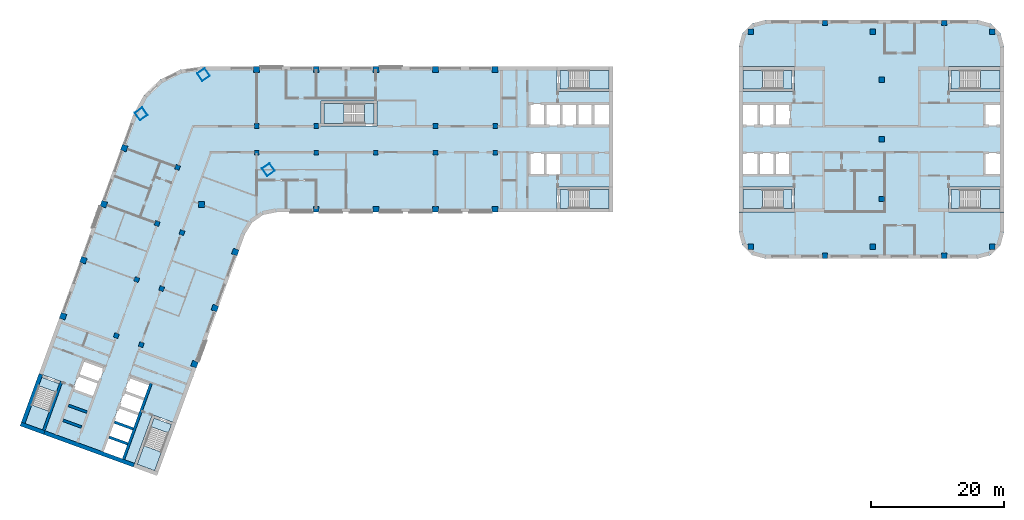
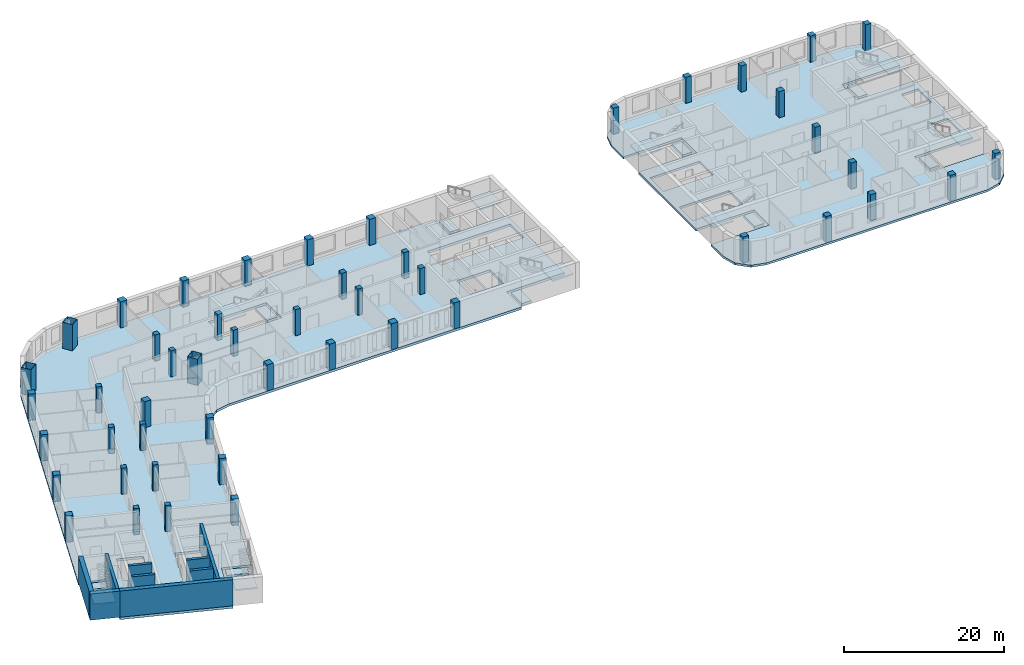
# One storey, part 1 of 12: 49 columns, 20 slabs, 9 walls, 9 elements without a shape of their own.
"""IFC4 building model written with IfcOpenShell, lengths in metres."""

from ifc_helpers import new_model, si_unit, direction, frame, frame_2d, origin, origin_2d, place, context, subcontext, project, spatial, polyline, rectangle, hollow_rectangle, outline, extrude, material, layer, layer_set, material_profile, profile_set, type_object, element, aggregate, save


model = new_model("IFC4")

# Units and contexts
model_context = context("Model", 3, precision=1e-05, world=origin(), true_north=direction((0.0, 1.0)))
body_context = subcontext(model_context, "Body", "Model", "MODEL_VIEW")
ifc_project = project(units=[si_unit("LENGTHUNIT", "METRE"), si_unit("AREAUNIT", "SQUARE_METRE"), si_unit("VOLUMEUNIT", "CUBIC_METRE"), si_unit("PLANEANGLEUNIT", "RADIAN"), si_unit("MASSUNIT", "GRAM", prefix="KILO")], contexts=[model_context])

# Site, building, storey
site_placement = place(None, origin())
site = spatial("IfcSite", under=ifc_project, at=site_placement, CompositionType="ELEMENT")
building_placement = place(site_placement, origin())
building = spatial("IfcBuilding", under=site, at=building_placement, Name="Skarvind Civic Tower", CompositionType="ELEMENT")
storey_placement = place(building_placement, frame((0.0, 0.0, 39.5)))
storey = spatial("IfcBuildingStorey", under=building, at=storey_placement, Name="L08", CompositionType="ELEMENT", Elevation=39.5)

# Columns
ifc_material_1 = material(Name="Concrete C60", Category="concrete")
ifc_material_profile_1 = material_profile(ifc_material_1, rectangle(XDim=0.699951171875, YDim=0.699951171875, at=origin_2d()), Name="RC-700x700")
ifc_profile_set_1 = profile_set([ifc_material_profile_1], Name="Concrete C60")
column_type_1 = type_object("IfcColumnType", Name="Column RC-700x700 C60", PredefinedType="COLUMN", material=ifc_profile_set_1)
for number, where, z_axis, x_axis, name in (
    (1, (54.25, 130.0, 0.0), (0.0, 0.0, 1.0), (1.0, 0.0, 0.0), "Column wing 1 north inner 02 L08"),
    (2, (63.25, 130.0, 0.0), (0.0, 0.0, 1.0), (1.0, 0.0, 0.0), "Column wing 1 north inner 03 L08"),
    (3, (81.25, 130.0, 0.0), (0.0, 0.0, 1.0), (1.0, 0.0, 0.0), "Column wing 1 north inner 05 L08"),
    (4, (90.25, 130.0, 0.0), (0.0, 0.0, 1.0), (1.0, 0.0, 0.0), "Column wing 1 north inner 06 L08"),
    (5, (54.25, 126.0, 0.0), (0.0, 0.0, 1.0), (1.0, 0.0, 0.0), "Column wing 1 south inner 02 L08"),
    (6, (63.25, 126.0, 0.0), (0.0, 0.0, 1.0), (1.0, 0.0, 0.0), "Column wing 1 south inner 03 L08"),
    (7, (72.25, 126.0, 0.0), (0.0, 0.0, 1.0), (1.0, 0.0, 0.0), "Column wing 1 south inner 04 L08"),
    (8, (81.25, 126.0, 0.0), (0.0, 0.0, 1.0), (1.0, 0.0, 0.0), "Column wing 1 south inner 05 L08"),
    (9, (90.25, 126.0, 0.0), (0.0, 0.0, 1.0), (1.0, 0.0, 0.0), "Column wing 1 south inner 06 L08"),
    (10, (43.005615234375, 113.92529296875, 0.0), (0.0, 0.0, 1.0), (-0.342020143326, -0.939692620786, 0.0), "Column wing 2 left inner 02 L08"),
    (11, (39.927490234375, 105.468017578125, 0.0), (0.0, 0.0, 1.0), (-0.342020143326, -0.939692620786, 0.0), "Column wing 2 left inner 03 L08"),
    (12, (36.84912109375, 97.010986328125, 0.0), (0.0, 0.0, 1.0), (-0.342020143326, -0.939692620786, 0.0), "Column wing 2 left inner 04 L08"),
    (13, (42.324951171875, 123.750732421875, 0.0), (0.0, 0.0, 1.0), (-0.342020143326, -0.939692620786, 0.0), "Column wing 2 right inner 01 L08"),
    (14, (39.246826171875, 115.29345703125, 0.0), (0.0, 0.0, 1.0), (-0.342020143326, -0.939692620786, 0.0), "Column wing 2 right inner 02 L08"),
    (15, (36.168701171875, 106.836181640625, 0.0), (0.0, 0.0, 1.0), (-0.342020143326, -0.939692620786, 0.0), "Column wing 2 right inner 03 L08"),
    (16, (33.090576171875, 98.37890625, 0.0), (0.0, 0.0, 1.0), (-0.342020143326, -0.939692620786, 0.0), "Column wing 2 right inner 04 L08"),
):
    element("IfcColumn", number, at=place(storey_placement, frame(where, z_axis=z_axis, x_axis=x_axis)), inside=storey, type_object=column_type_1, Name=name, PredefinedType="COLUMN", context=body_context, shape_type="SweptSolid", body=[
        extrude(rectangle(XDim=0.699951171875, YDim=0.699951171875, at=origin_2d()), origin(), (0.0, 0.0, 1.0), 4.0),
    ])
ifc_material_profile_2 = material_profile(ifc_material_1, rectangle(XDim=0.800048828125, YDim=0.800048828125, at=origin_2d()), Name="RC-800x800")
ifc_profile_set_2 = profile_set([ifc_material_profile_2], Name="Concrete C60")
column_type_2 = type_object("IfcColumnType", Name="Column RC-800x800 C60", PredefinedType="COLUMN", material=ifc_profile_set_2)
for number, where, z_axis, x_axis, name in (
    (17, (128.777099609375, 144.222900390625, 0.0), (0.0, 0.0, 1.0), (1.0, 0.0, 0.0), "Column second tower north-west corner L08"),
    (18, (128.777099609375, 111.777099609375, 0.0), (0.0, 0.0, 1.0), (1.0, 0.0, 0.0), "Column second tower south-west corner L08"),
    (19, (148.550048828125, 119.0, 0.0), (0.0, 0.0, 1.0), (1.0, 0.0, 0.0), "Column second tower middle line 01 L08"),
    (20, (148.550048828125, 128.0, 0.0), (0.0, 0.0, 1.0), (1.0, 0.0, 0.0), "Column second tower middle line 02 L08"),
    (21, (148.550048828125, 137.0, 0.0), (0.0, 0.0, 1.0), (1.0, 0.0, 0.0), "Column second tower middle line 03 L08"),
    (22, (140.0, 145.550048828125, 0.0), (0.0, 0.0, 1.0), (1.0, 0.0, 0.0), "Column second tower north perimeter 02 L08"),
    (23, (147.222900390625, 144.222900390625, 0.0), (0.0, 0.0, 1.0), (1.0, 0.0, 0.0), "Column second tower north perimeter 03 L08"),
    (24, (140.0, 110.449951171875, 0.0), (0.0, 0.0, 1.0), (1.0, 0.0, 0.0), "Column second tower south perimeter 02 L08"),
    (25, (147.222900390625, 111.777099609375, 0.0), (0.0, 0.0, 1.0), (1.0, 0.0, 0.0), "Column second tower south perimeter 03 L08"),
    (26, (165.222900390625, 144.222900390625, 0.0), (0.0, 0.0, 1.0), (1.0, 0.0, 0.0), "Column second tower north-east corner L08"),
    (27, (165.222900390625, 111.777099609375, 0.0), (0.0, 0.0, 1.0), (1.0, 0.0, 0.0), "Column second tower south-east corner L08"),
    (28, (158.0, 145.550048828125, 0.0), (0.0, 0.0, 1.0), (1.0, 0.0, 0.0), "Column second tower north perimeter 04 L08"),
    (29, (158.0, 110.449951171875, 0.0), (0.0, 0.0, 1.0), (1.0, 0.0, 0.0), "Column second tower south perimeter 04 L08"),
):
    element("IfcColumn", number, at=place(storey_placement, frame(where, z_axis=z_axis, x_axis=x_axis)), inside=storey, type_object=column_type_2, Name=name, PredefinedType="COLUMN", context=body_context, shape_type="SweptSolid", body=[
        extrude(rectangle(XDim=0.800048828125, YDim=0.800048828125, at=origin_2d()), origin(), (0.0, 0.0, 1.0), 4.0),
    ])
ifc_material_2 = material(Name="Concrete C80", Category="concrete")
ifc_material_profile_3 = material_profile(ifc_material_2, rectangle(XDim=0.89990234375, YDim=0.89990234375, at=origin_2d()), Name="RC-900x900")
ifc_profile_set_3 = profile_set([ifc_material_profile_3], Name="Concrete C80")
column_type_3 = type_object("IfcColumnType", Name="Column RC-900x900 C80", PredefinedType="COLUMN", material=ifc_profile_set_3)
for number, where, z_axis, x_axis, name in (
    (30, (54.25, 138.550048828125, 0.0), (0.0, 0.0, 1.0), (1.0, 0.0, 0.0), "Column wing 1 north perimeter 02 L08"),
    (31, (63.25, 138.550048828125, 0.0), (0.0, 0.0, 1.0), (1.0, 0.0, 0.0), "Column wing 1 north perimeter 03 L08"),
    (32, (72.25, 138.550048828125, 0.0), (0.0, 0.0, 1.0), (1.0, 0.0, 0.0), "Column wing 1 north perimeter 04 L08"),
    (33, (81.25, 138.550048828125, 0.0), (0.0, 0.0, 1.0), (1.0, 0.0, 0.0), "Column wing 1 north perimeter 05 L08"),
    (34, (90.25, 138.550048828125, 0.0), (0.0, 0.0, 1.0), (1.0, 0.0, 0.0), "Column wing 1 north perimeter 06 L08"),
    (35, (45.95166015625, 118.151611328125, 0.0), (0.0, 0.0, 1.0), (1.0, 0.0, 0.0), "Column wing 1 south perimeter 01 L08"),
    (36, (63.25, 117.449951171875, 0.0), (0.0, 0.0, 1.0), (1.0, 0.0, 0.0), "Column wing 1 south perimeter 03 L08"),
    (37, (72.25, 117.449951171875, 0.0), (0.0, 0.0, 1.0), (1.0, 0.0, 0.0), "Column wing 1 south perimeter 04 L08"),
    (38, (81.25, 117.449951171875, 0.0), (0.0, 0.0, 1.0), (1.0, 0.0, 0.0), "Column wing 1 south perimeter 05 L08"),
    (39, (90.25, 117.449951171875, 0.0), (0.0, 0.0, 1.0), (1.0, 0.0, 0.0), "Column wing 1 south perimeter 06 L08"),
    (40, (51.0400390625, 111.0009765625, 0.0), (0.0, 0.0, 1.0), (-0.342020143326, -0.939692620786, 0.0), "Column wing 2 left perimeter 02 L08"),
    (41, (47.961669921875, 102.5439453125, 0.0), (0.0, 0.0, 1.0), (-0.342020143326, -0.939692620786, 0.0), "Column wing 2 left perimeter 03 L08"),
    (42, (44.883544921875, 94.086669921875, 0.0), (0.0, 0.0, 1.0), (-0.342020143326, -0.939692620786, 0.0), "Column wing 2 left perimeter 04 L08"),
    (43, (34.29052734375, 126.6748046875, 0.0), (0.0, 0.0, 1.0), (-0.342020143326, -0.939692620786, 0.0), "Column wing 2 right perimeter 01 L08"),
    (44, (31.21240234375, 118.2177734375, 0.0), (0.0, 0.0, 1.0), (-0.342020143326, -0.939692620786, 0.0), "Column wing 2 right perimeter 02 L08"),
    (45, (28.13427734375, 109.760498046875, 0.0), (0.0, 0.0, 1.0), (-0.342020143326, -0.939692620786, 0.0), "Column wing 2 right perimeter 03 L08"),
    (46, (25.05615234375, 101.30322265625, 0.0), (0.0, 0.0, 1.0), (-0.342020143326, -0.939692620786, 0.0), "Column wing 2 right perimeter 04 L08"),
):
    element("IfcColumn", number, at=place(storey_placement, frame(where, z_axis=z_axis, x_axis=x_axis)), inside=storey, type_object=column_type_3, Name=name, PredefinedType="COLUMN", context=body_context, shape_type="SweptSolid", body=[
        extrude(rectangle(XDim=0.89990234375, YDim=0.89990234375, at=origin_2d()), origin(), (0.0, 0.0, 1.0), 4.0),
    ])
ifc_material_3 = material(Name="Composite concrete-filled steel tube, Steel SM355 with Concrete C80", Category="concrete")
ifc_material_profile_4 = material_profile(ifc_material_3, hollow_rectangle(XDim=1.39990234375, YDim=1.39990234375, WallThickness=0.0400390625, at=origin_2d()), Name="BOX-1400x1400x40")
ifc_profile_set_4 = profile_set([ifc_material_profile_4], Name="Composite concrete-filled steel tube, Steel SM355 with Concrete C80")
column_type_4 = type_object("IfcColumnType", Name="Mega column BOX-1400x1400x40 filled C80", PredefinedType="COLUMN", material=ifc_profile_set_4)
for number, where, z_axis, x_axis, name in (
    (47, (36.845947265625, 131.837646484375, 0.0), (0.0, 0.0, 1.0), (0.573576436351, -0.819152044289, 0.0), "Mega column 1 L08"),
    (48, (46.2470703125, 137.762451171875, 0.0), (0.0, 0.0, 1.0), (0.573576436351, -0.819152044289, 0.0), "Mega column 2 L08"),
    (49, (56.0361328125, 123.43017578125, 0.0), (0.0, 0.0, 1.0), (0.573576436351, -0.819152044289, 0.0), "Mega column 4 L08"),
):
    element("IfcColumn", number, at=place(storey_placement, frame(where, z_axis=z_axis, x_axis=x_axis)), inside=storey, type_object=column_type_4, Name=name, PredefinedType="COLUMN", context=body_context, shape_type="SweptSolid", body=[
        extrude(hollow_rectangle(XDim=1.39990234375, YDim=1.39990234375, WallThickness=0.0400390625, at=origin_2d()), origin(), (0.0, 0.0, 1.0), 4.0),
    ])

# Slabs
ifc_material_4 = material(Name="Concrete C50", Category="concrete")
ifc_layer_1 = layer(ifc_material_4, 0.375)
ifc_layer_set_1 = layer_set([ifc_layer_1], Name="Floor slab 375 C50")
slab_type_1 = type_object("IfcSlabType", Name="Floor slab 375 C50", PredefinedType="FLOOR", material=ifc_layer_set_1)
slab_1_placement = place(storey_placement, frame((0.0, 0.0, -0.375)))
element("IfcSlab", 50, at=slab_1_placement, inside=storey, type_object=slab_type_1, Name="Floor slab L08 1", PredefinedType="FLOOR", context=body_context, shape_type="SweptSolid", body=[
    extrude(outline(polyline([(99.60009765625, 117.0), (99.60009765625, 120.800048828125), (108.0, 120.800048828125), (108.0, 135.199951171875), (99.60009765625, 135.199951171875), (99.60009765625, 139.0), (46.095458984375, 139.0), (42.739501953125, 138.5009765625), (39.6943359375, 137.005615234375), (37.24755859375, 134.6552734375), (35.630615234375, 131.672607421875), (19.41748046875, 87.126708984375), (21.435302734375, 92.6708984375), (25.006103515625, 91.371337890625), (22.13330078125, 83.477783203125), (36.886474609375, 78.108154296875), (35.664794921875, 78.552734375), (38.53759765625, 86.4462890625), (42.108642578125, 85.146484375), (40.0908203125, 79.602294921875), (40.0908203125, 79.602294921875), (52.493896484375, 113.68017578125), (53.560791015625, 115.421630859375), (55.23388671875, 116.593017578125), (57.235107421875, 117.0), (99.60009765625, 117.0)]), holes=[polyline([(32.625244140625, 85.40576171875), (33.446044921875, 87.660888671875), (34.26708984375, 89.916259765625), (35.087890625, 92.17138671875), (38.28271484375, 91.008544921875), (37.4619140625, 88.75341796875), (36.64111328125, 86.498046875), (35.8203125, 84.242919921875), (35.8203125, 84.242919921875), (34.99951171875, 81.987548828125), (34.178466796875, 79.732421875), (30.983642578125, 80.89501953125), (31.804443359375, 83.150390625), (32.625244140625, 85.40576171875), (32.625244140625, 85.40576171875)]), polyline([(31.3291015625, 93.53955078125), (30.50830078125, 91.2841796875), (29.6875, 89.029052734375), (26.492431640625, 90.19189453125), (27.313232421875, 92.447021484375), (28.134033203125, 94.702392578125), (31.3291015625, 93.53955078125)]), polyline([(64.0, 130.0), (64.0, 133.800048828125), (72.39990234375, 133.800048828125), (72.39990234375, 130.0), (64.0, 130.0)]), polyline([(100.199951171875, 126.0), (100.199951171875, 122.60009765625), (97.800048828125, 122.60009765625), (95.39990234375, 122.60009765625), (95.39990234375, 126.0), (97.800048828125, 126.0), (100.199951171875, 126.0)]), polyline([(100.199951171875, 133.39990234375), (102.60009765625, 133.39990234375), (105.0, 133.39990234375), (107.39990234375, 133.39990234375), (107.39990234375, 130.0), (105.0, 130.0), (102.60009765625, 130.0), (100.199951171875, 130.0), (97.800048828125, 130.0), (95.39990234375, 130.0), (95.39990234375, 133.39990234375), (97.800048828125, 133.39990234375), (100.199951171875, 133.39990234375)])]), origin(), (0.0, 0.0, 1.0), 0.375),
])
ifc_layer_2 = layer(ifc_material_4, 0.324951171875)
ifc_layer_set_2 = layer_set([ifc_layer_2], Name="Second tower floor slab 325 C50")
slab_type_2 = type_object("IfcSlabType", Name="Second tower floor slab 325 C50", PredefinedType="FLOOR", material=ifc_layer_set_2)
slab_2_placement = place(storey_placement, frame((0.0, 0.0, -0.324951171875)))
element("IfcSlab", 51, at=slab_2_placement, inside=storey, type_object=slab_type_2, Name="Floor slab L08 1", PredefinedType="FLOOR", context=body_context, shape_type="SweptSolid", body=[
    extrude(outline(polyline([(127.0, 139.0), (135.39990234375, 139.0), (135.39990234375, 135.199951171875), (127.0, 135.199951171875), (127.0, 120.800048828125), (135.39990234375, 120.800048828125), (135.39990234375, 117.0), (127.0, 117.0), (127.0, 114.0), (127.535888671875, 112.0), (129.0, 110.535888671875), (131.0, 110.0), (163.0, 110.0), (165.0, 110.535888671875), (166.464111328125, 112.0), (167.0, 114.0), (167.0, 117.0), (158.60009765625, 117.0), (158.60009765625, 120.800048828125), (167.0, 120.800048828125), (167.0, 135.199951171875), (158.60009765625, 135.199951171875), (158.60009765625, 139.0), (167.0, 139.0), (167.0, 142.0), (166.464111328125, 144.0), (165.0, 145.464111328125), (163.0, 146.0), (131.0, 146.0), (129.0, 145.464111328125), (127.535888671875, 144.0), (127.0, 142.0), (127.0, 139.0)]), holes=[polyline([(132.39990234375, 126.0), (134.800048828125, 126.0), (134.800048828125, 122.60009765625), (132.39990234375, 122.60009765625), (130.0, 122.60009765625), (127.60009765625, 122.60009765625), (127.60009765625, 126.0), (130.0, 126.0), (132.39990234375, 126.0)]), polyline([(130.0, 133.39990234375), (132.39990234375, 133.39990234375), (134.800048828125, 133.39990234375), (134.800048828125, 130.0), (132.39990234375, 130.0), (130.0, 130.0), (127.60009765625, 130.0), (127.60009765625, 133.39990234375), (130.0, 133.39990234375)]), polyline([(166.39990234375, 126.0), (166.39990234375, 122.60009765625), (164.0, 122.60009765625), (164.0, 126.0), (166.39990234375, 126.0)]), polyline([(166.39990234375, 133.39990234375), (166.39990234375, 130.0), (164.0, 130.0), (164.0, 133.39990234375), (166.39990234375, 133.39990234375)])]), origin(), (0.0, 0.0, 1.0), 0.324951171875),
])
ifc_material_5 = material(Name="Concrete C40/50", Category="concrete")
ifc_layer_3 = layer(ifc_material_5, 0.375)
ifc_layer_set_3 = layer_set([ifc_layer_3], Name="Stair floor landing slab 375")
slab_type_3 = type_object("IfcSlabType", Name="Stair floor landing slab 375", PredefinedType="LANDING", material=ifc_layer_set_3)
slab_3_placement = place(storey_placement, frame((0.0, 0.0, -0.375)))
element("IfcSlab", 52, at=slab_3_placement, inside=storey, type_object=slab_type_3, Name="Stair floor landing", PredefinedType="LANDING", context=body_context, shape_type="SweptSolid", body=[
    extrude(outline(polyline([(101.3505859375, 138.400634765625), (101.3505859375, 135.599365234375), (99.99951171875, 135.599365234375), (99.99951171875, 138.400634765625), (101.3505859375, 138.400634765625)])), origin(), (0.0, 0.0, 1.0), 0.375),
])
slab_4_placement = place(storey_placement, frame((0.0, 0.0, -0.375)))
element("IfcSlab", 53, at=slab_4_placement, inside=storey, type_object=slab_type_3, Name="Stair floor landing", PredefinedType="LANDING", context=body_context, shape_type="SweptSolid", body=[
    extrude(outline(polyline([(101.3505859375, 120.400634765625), (101.3505859375, 117.599365234375), (99.99951171875, 117.599365234375), (99.99951171875, 120.400634765625), (101.3505859375, 120.400634765625)])), origin(), (0.0, 0.0, 1.0), 0.375),
])
slab_5_placement = place(storey_placement, frame((0.0, 0.0, -0.375)))
element("IfcSlab", 54, at=slab_5_placement, inside=storey, type_object=slab_type_3, Name="Stair floor landing", PredefinedType="LANDING", context=body_context, shape_type="SweptSolid", body=[
    extrude(outline(polyline([(40.946533203125, 83.70654296875), (38.314208984375, 84.66455078125), (38.7763671875, 85.934326171875), (41.40869140625, 84.976318359375), (40.946533203125, 83.70654296875)])), origin(), (0.0, 0.0, 1.0), 0.375),
])
slab_6_placement = place(storey_placement, frame((0.0, 0.0, -0.375)))
element("IfcSlab", 55, at=slab_6_placement, inside=storey, type_object=slab_type_3, Name="Stair floor landing", PredefinedType="LANDING", context=body_context, shape_type="SweptSolid", body=[
    extrude(outline(polyline([(24.0322265625, 89.863037109375), (21.39990234375, 90.821044921875), (21.862060546875, 92.090576171875), (24.494384765625, 91.132568359375), (24.0322265625, 89.863037109375)])), origin(), (0.0, 0.0, 1.0), 0.375),
])
slab_7_placement = place(storey_placement, frame((0.0, 0.0, -0.375)))
element("IfcSlab", 56, at=slab_7_placement, inside=storey, type_object=slab_type_3, Name="Stair floor landing", PredefinedType="LANDING", context=body_context, shape_type="SweptSolid", body=[
    extrude(outline(polyline([(133.6494140625, 117.599365234375), (133.6494140625, 120.400634765625), (135.00048828125, 120.400634765625), (135.00048828125, 117.599365234375), (133.6494140625, 117.599365234375)])), origin(), (0.0, 0.0, 1.0), 0.375),
])
slab_8_placement = place(storey_placement, frame((0.0, 0.0, -0.375)))
element("IfcSlab", 57, at=slab_8_placement, inside=storey, type_object=slab_type_3, Name="Stair floor landing", PredefinedType="LANDING", context=body_context, shape_type="SweptSolid", body=[
    extrude(outline(polyline([(133.6494140625, 135.599365234375), (133.6494140625, 138.400634765625), (135.00048828125, 138.400634765625), (135.00048828125, 135.599365234375), (133.6494140625, 135.599365234375)])), origin(), (0.0, 0.0, 1.0), 0.375),
])
slab_9_placement = place(storey_placement, frame((0.0, 0.0, -0.375)))
element("IfcSlab", 58, at=slab_9_placement, inside=storey, type_object=slab_type_3, Name="Stair floor landing", PredefinedType="LANDING", context=body_context, shape_type="SweptSolid", body=[
    extrude(outline(polyline([(160.3505859375, 138.400634765625), (160.3505859375, 135.599365234375), (158.99951171875, 135.599365234375), (158.99951171875, 138.400634765625), (160.3505859375, 138.400634765625)])), origin(), (0.0, 0.0, 1.0), 0.375),
])
slab_10_placement = place(storey_placement, frame((0.0, 0.0, -0.375)))
element("IfcSlab", 59, at=slab_10_placement, inside=storey, type_object=slab_type_3, Name="Stair floor landing", PredefinedType="LANDING", context=body_context, shape_type="SweptSolid", body=[
    extrude(outline(polyline([(160.3505859375, 120.400634765625), (160.3505859375, 117.599365234375), (158.99951171875, 117.599365234375), (158.99951171875, 120.400634765625), (160.3505859375, 120.400634765625)])), origin(), (0.0, 0.0, 1.0), 0.375),
])
slab_11_placement = place(storey_placement, frame((0.0, 0.0, -0.375)))
element("IfcSlab", 60, at=slab_11_placement, inside=storey, type_object=slab_type_3, Name="Stair floor landing", PredefinedType="LANDING", context=body_context, shape_type="SweptSolid", body=[
    extrude(outline(polyline([(70.54931640625, 130.3994140625), (70.54931640625, 133.400634765625), (72.00048828125, 133.400634765625), (72.00048828125, 130.3994140625), (70.54931640625, 130.3994140625)])), origin(), (0.0, 0.0, 1.0), 0.375),
])

# Stair, slab
stair_type_1 = type_object("IfcStairType", Name="Exit stair, half-turn, concrete", PredefinedType="HALF_TURN_STAIR", material=ifc_material_5)
stair_1_placement = place(storey_placement, origin())
stair_1 = element("IfcStair", 61, at=stair_1_placement, inside=storey, type_object=stair_type_1, Name="Exit stair C1S", PredefinedType="HALF_TURN_STAIR")
ifc_layer_4 = layer(ifc_material_5, 0.199951171875)
ifc_layer_set_4 = layer_set([ifc_layer_4], Name="Stair half landing slab")
slab_type_4 = type_object("IfcSlabType", Name="Stair half landing slab", PredefinedType="LANDING", material=ifc_layer_set_4)
slab_12_placement = place(storey_placement, frame((0.0, 0.0, 1.800048828125)))
slab_12 = element("IfcSlab", 62, at=slab_12_placement, type_object=slab_type_4, Name="ST-C1S landing 1", PredefinedType="LANDING", context=body_context, shape_type="SweptSolid", body=[
    extrude(outline(polyline([(104.429443359375, 135.599365234375), (104.429443359375, 138.400634765625), (107.400634765625, 138.400634765625), (107.400634765625, 135.599365234375), (104.429443359375, 135.599365234375)])), origin(), (0.0, 0.0, 1.0), 0.199951171875),
])
aggregate(stair_1, [slab_12])

stair_2_placement = place(storey_placement, origin())
stair_2 = element("IfcStair", 63, at=stair_2_placement, inside=storey, type_object=stair_type_1, Name="Exit stair C1N", PredefinedType="HALF_TURN_STAIR")
slab_13_placement = place(storey_placement, frame((0.0, 0.0, 1.800048828125)))
slab_13 = element("IfcSlab", 64, at=slab_13_placement, type_object=slab_type_4, Name="ST-C1N landing 1", PredefinedType="LANDING", context=body_context, shape_type="SweptSolid", body=[
    extrude(outline(polyline([(104.429443359375, 117.599365234375), (104.429443359375, 120.400634765625), (107.400634765625, 120.400634765625), (107.400634765625, 117.599365234375), (104.429443359375, 117.599365234375)])), origin(), (0.0, 0.0, 1.0), 0.199951171875),
])
aggregate(stair_2, [slab_13])

stair_3_placement = place(storey_placement, origin())
stair_3 = element("IfcStair", 65, at=stair_3_placement, inside=storey, type_object=stair_type_1, Name="Exit stair C2S", PredefinedType="HALF_TURN_STAIR")
slab_14_placement = place(storey_placement, frame((0.0, 0.0, 1.800048828125)))
slab_14 = element("IfcSlab", 66, at=slab_14_placement, type_object=slab_type_4, Name="ST-C2S landing 1", PredefinedType="LANDING", context=body_context, shape_type="SweptSolid", body=[
    extrude(outline(polyline([(37.26123046875, 81.771484375), (39.8935546875, 80.8134765625), (38.87744140625, 78.021484375), (36.2451171875, 78.9794921875), (37.26123046875, 81.771484375)])), origin(), (0.0, 0.0, 1.0), 0.199951171875),
])
aggregate(stair_3, [slab_14])

stair_4_placement = place(storey_placement, origin())
stair_4 = element("IfcStair", 67, at=stair_4_placement, inside=storey, type_object=stair_type_1, Name="Exit stair C2N", PredefinedType="HALF_TURN_STAIR")
slab_15_placement = place(storey_placement, frame((0.0, 0.0, 1.800048828125)))
slab_15 = element("IfcSlab", 68, at=slab_15_placement, type_object=slab_type_4, Name="ST-C2N landing 1", PredefinedType="LANDING", context=body_context, shape_type="SweptSolid", body=[
    extrude(outline(polyline([(20.346923828125, 87.927734375), (22.97900390625, 86.9697265625), (21.962890625, 84.177734375), (19.33056640625, 85.1357421875), (20.346923828125, 87.927734375)])), origin(), (0.0, 0.0, 1.0), 0.199951171875),
])
aggregate(stair_4, [slab_15])

stair_5_placement = place(storey_placement, origin())
stair_5 = element("IfcStair", 69, at=stair_5_placement, inside=storey, type_object=stair_type_1, Name="Exit stair CAS", PredefinedType="HALF_TURN_STAIR")
slab_16_placement = place(storey_placement, frame((0.0, 0.0, 1.800048828125)))
slab_16 = element("IfcSlab", 70, at=slab_16_placement, type_object=slab_type_4, Name="ST-CAS landing 1", PredefinedType="LANDING", context=body_context, shape_type="SweptSolid", body=[
    extrude(outline(polyline([(130.570556640625, 120.400634765625), (130.570556640625, 117.599365234375), (127.599365234375, 117.599365234375), (127.599365234375, 120.400634765625), (130.570556640625, 120.400634765625)])), origin(), (0.0, 0.0, 1.0), 0.199951171875),
])
aggregate(stair_5, [slab_16])

stair_6_placement = place(storey_placement, origin())
stair_6 = element("IfcStair", 71, at=stair_6_placement, inside=storey, type_object=stair_type_1, Name="Exit stair CAN", PredefinedType="HALF_TURN_STAIR")
slab_17_placement = place(storey_placement, frame((0.0, 0.0, 1.800048828125)))
slab_17 = element("IfcSlab", 72, at=slab_17_placement, type_object=slab_type_4, Name="ST-CAN landing 1", PredefinedType="LANDING", context=body_context, shape_type="SweptSolid", body=[
    extrude(outline(polyline([(130.570556640625, 138.400634765625), (130.570556640625, 135.599365234375), (127.599365234375, 135.599365234375), (127.599365234375, 138.400634765625), (130.570556640625, 138.400634765625)])), origin(), (0.0, 0.0, 1.0), 0.199951171875),
])
aggregate(stair_6, [slab_17])

stair_7_placement = place(storey_placement, origin())
stair_7 = element("IfcStair", 73, at=stair_7_placement, inside=storey, type_object=stair_type_1, Name="Exit stair CBS", PredefinedType="HALF_TURN_STAIR")
slab_18_placement = place(storey_placement, frame((0.0, 0.0, 1.800048828125)))
slab_18 = element("IfcSlab", 74, at=slab_18_placement, type_object=slab_type_4, Name="ST-CBS landing 1", PredefinedType="LANDING", context=body_context, shape_type="SweptSolid", body=[
    extrude(outline(polyline([(163.429443359375, 135.599365234375), (163.429443359375, 138.400634765625), (166.400634765625, 138.400634765625), (166.400634765625, 135.599365234375), (163.429443359375, 135.599365234375)])), origin(), (0.0, 0.0, 1.0), 0.199951171875),
])
aggregate(stair_7, [slab_18])

stair_8_placement = place(storey_placement, origin())
stair_8 = element("IfcStair", 75, at=stair_8_placement, inside=storey, type_object=stair_type_1, Name="Exit stair CBN", PredefinedType="HALF_TURN_STAIR")
slab_19_placement = place(storey_placement, frame((0.0, 0.0, 1.800048828125)))
slab_19 = element("IfcSlab", 76, at=slab_19_placement, type_object=slab_type_4, Name="ST-CBN landing 1", PredefinedType="LANDING", context=body_context, shape_type="SweptSolid", body=[
    extrude(outline(polyline([(163.429443359375, 117.599365234375), (163.429443359375, 120.400634765625), (166.400634765625, 120.400634765625), (166.400634765625, 117.599365234375), (163.429443359375, 117.599365234375)])), origin(), (0.0, 0.0, 1.0), 0.199951171875),
])
aggregate(stair_8, [slab_19])

stair_type_2 = type_object("IfcStairType", Name="Exit stair 1450, half-turn, concrete", PredefinedType="HALF_TURN_STAIR", material=ifc_material_5)
stair_9_placement = place(storey_placement, origin())
stair_9 = element("IfcStair", 77, at=stair_9_placement, inside=storey, type_object=stair_type_2, Name="Exit stair CM", PredefinedType="HALF_TURN_STAIR")
slab_20_placement = place(storey_placement, frame((0.0, 0.0, 1.800048828125)))
slab_20 = element("IfcSlab", 78, at=slab_20_placement, type_object=slab_type_4, Name="ST-CM landing 1", PredefinedType="LANDING", context=body_context, shape_type="SweptSolid", body=[
    extrude(outline(polyline([(67.470703125, 133.400634765625), (67.470703125, 130.3994140625), (64.3994140625, 130.3994140625), (64.3994140625, 133.400634765625), (67.470703125, 133.400634765625)])), origin(), (0.0, 0.0, 1.0), 0.199951171875),
])
aggregate(stair_9, [slab_20])

# Walls
ifc_layer_5 = layer(ifc_material_2, 0.39990234375)
ifc_layer_set_5 = layer_set([ifc_layer_5], Name="Core wall 400 C80")
wall_type_1 = type_object("IfcWallType", Name="Core wall 400 C80", PredefinedType="SHEAR", material=ifc_layer_set_5)
wall_1_placement = place(storey_placement, frame((22.150390625, 84.110107421875, 0.0), z_axis=(0.0, 0.0, 1.0), x_axis=(0.342016982193, 0.939693771338, 0.0)))
element("IfcWall", 79, at=wall_1_placement, inside=storey, type_object=wall_type_1, Name="Core wall C2 north stair inner L08", PredefinedType="SHEAR", context=body_context, shape_type="SweptSolid", body=[
    extrude(rectangle(XDim=7.800048828125, YDim=0.39990234375, at=frame_2d((3.89990234375, 0.0))), origin(), (0.0, 0.0, 1.0), 4.0),
])
wall_2_placement = place(storey_placement, frame((34.178466796875, 79.732177734375, 0.0), z_axis=(0.0, 0.0, 1.0), x_axis=(0.342014590177, 0.939694641948, 0.0)))
element("IfcWall", 80, at=wall_2_placement, inside=storey, type_object=wall_type_1, Name="Core wall C2 south lift row back L08", PredefinedType="SHEAR", context=body_context, shape_type="SweptSolid", body=[
    extrude(rectangle(XDim=12.2001953125, YDim=0.39990234375, at=frame_2d((6.10009765625, 0.0))), origin(), (0.0, 0.0, 1.0), 4.0),
])
for number, where, z_axis, x_axis, name in (
    (81, (34.8115234375, 82.055908203125, 0.0), (0.0, 0.0, 1.0), (-0.939686455819, 0.342037080957, 0.0), "Core wall C2 south lift row division 1 L08"),
    (82, (35.63232421875, 84.311279296875, 0.0), (0.0, 0.0, 1.0), (-0.939712609717, 0.341965219194, 0.0), "Core wall C2 south lift row division 2 L08"),
    (83, (27.857666015625, 84.5869140625, 0.0), (0.0, 0.0, 1.0), (-0.939686455819, 0.342037080957, 0.0), "Core wall C2 north lift row division 1 L08"),
):
    element("IfcWall", number, at=place(storey_placement, frame(where, z_axis=z_axis, x_axis=x_axis)), inside=storey, type_object=wall_type_1, Name=name, PredefinedType="SHEAR", context=body_context, shape_type="SweptSolid", body=[
        extrude(rectangle(XDim=3.0, YDim=0.39990234375, at=frame_2d((1.5, 0.0))), origin(), (0.0, 0.0, 1.0), 4.0),
    ])
wall_3_placement = place(storey_placement, frame((28.678466796875, 86.842041015625, 0.0), z_axis=(0.0, 0.0, 1.0), x_axis=(-0.939676934218, 0.342063238742, 0.0)))
element("IfcWall", 84, at=wall_3_placement, inside=storey, type_object=wall_type_1, Name="Core wall C2 north lift row division 2 L08", PredefinedType="SHEAR", context=body_context, shape_type="SweptSolid", body=[
    extrude(rectangle(XDim=2.999755859375, YDim=0.39990234375, at=frame_2d((1.5, 0.0))), origin(), (0.0, 0.0, 1.0), 4.0),
])
ifc_layer_6 = layer(ifc_material_2, 0.60009765625)
ifc_layer_set_6 = layer_set([ifc_layer_6], Name="Core wall 600 C80")
wall_type_2 = type_object("IfcWallType", Name="Core wall 600 C80", PredefinedType="SHEAR", material=ifc_layer_set_6)
wall_4_placement = place(storey_placement, frame((35.767333984375, 78.834716796875, 0.0), z_axis=(0.0, 0.0, 1.0), x_axis=(-0.939692894512, 0.342019391267, 0.0)))
element("IfcWall", 85, at=wall_4_placement, inside=storey, type_object=wall_type_2, Name="Core wall C2 tip between the stairs L08", PredefinedType="SHEAR", context=body_context, shape_type="SweptSolid", body=[
    extrude(rectangle(XDim=14.39990234375, YDim=0.60009765625, at=frame_2d((7.199951171875, 0.0))), origin(), (0.0, 0.0, 1.0), 4.0),
])
wall_5_placement = place(storey_placement, frame((22.23583984375, 83.759765625, 0.0), z_axis=(0.0, 0.0, 1.0), x_axis=(-0.939680822529, 0.342052557032, 0.0)))
element("IfcWall", 86, at=wall_5_placement, inside=storey, type_object=wall_type_2, Name="Core wall C2 tip at the north stair L08", PredefinedType="SHEAR", context=body_context, shape_type="SweptSolid", body=[
    extrude(rectangle(XDim=3.800048828125, YDim=0.60009765625, at=frame_2d((1.89990234375, 0.0))), origin(), (0.0, 0.0, 1.0), 4.0),
])
wall_6_placement = place(storey_placement, frame((19.049560546875, 85.23876953125, 0.0), z_axis=(0.0, 0.0, 1.0), x_axis=(0.342016982193, 0.939693771338, 0.0)))
element("IfcWall", 87, at=wall_6_placement, inside=storey, type_object=wall_type_2, Name="Core wall C2 north side at the stair L08", PredefinedType="SHEAR", context=body_context, shape_type="SweptSolid", body=[
    extrude(rectangle(XDim=7.800048828125, YDim=0.60009765625, at=frame_2d((3.89990234375, 0.0))), origin(), (0.0, 0.0, 1.0), 4.0),
])

save(model, "model.ifc")
